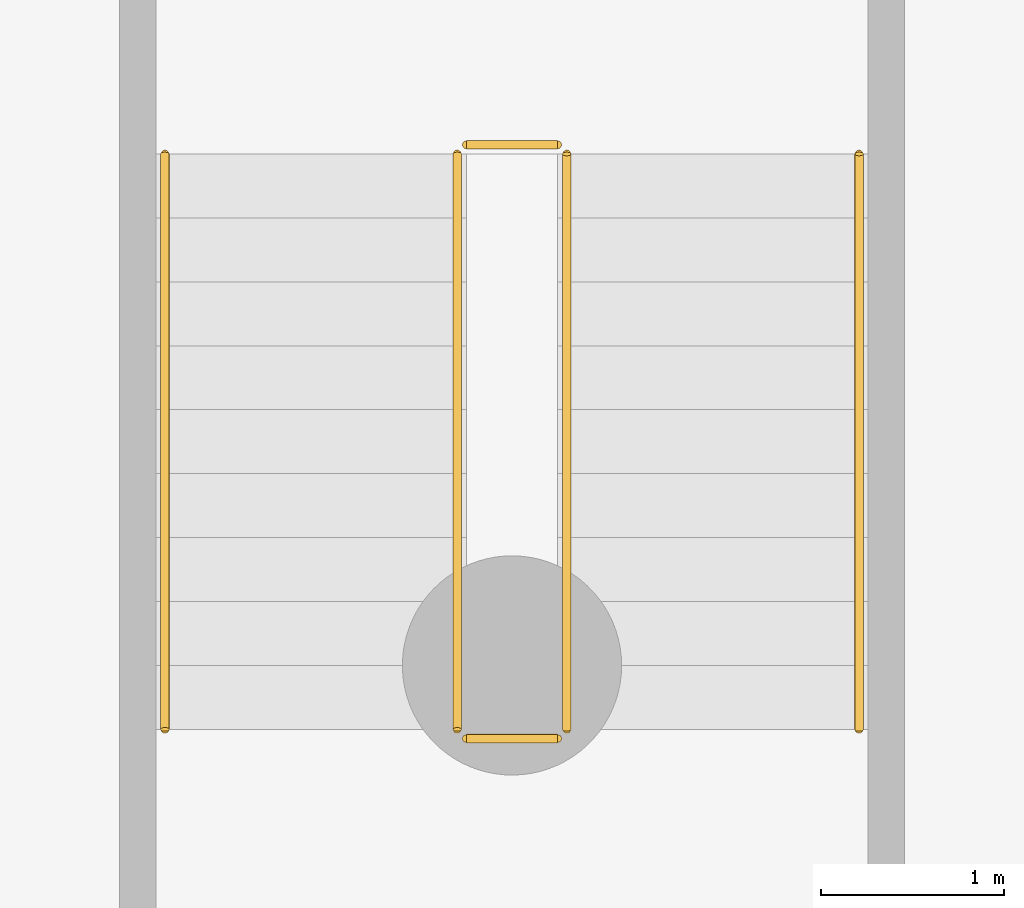
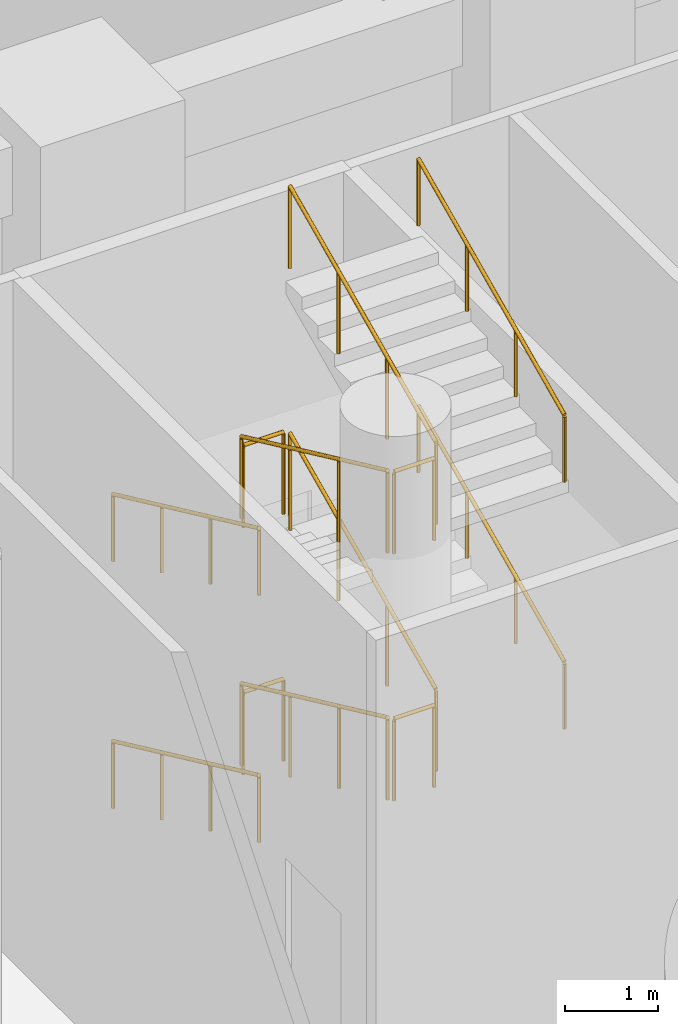
# One storey, part 47 of 51: 12 railings.
"""IFC4 building model written with IfcOpenShell, lengths in metres."""

from ifc_helpers import new_model, si_unit, direction, frame, origin, origin_2d, place, context, subcontext, project, spatial, circle, extrude, material, type_object, element, save


model = new_model("IFC4")

# Units and contexts
model_context = context("Model", 3, precision=1e-05, world=origin(), true_north=direction((0.0, 1.0)))
body_context = subcontext(model_context, "Body", "Model", "MODEL_VIEW")
ifc_project = project(units=[si_unit("LENGTHUNIT", "METRE"), si_unit("AREAUNIT", "SQUARE_METRE"), si_unit("VOLUMEUNIT", "CUBIC_METRE"), si_unit("PLANEANGLEUNIT", "RADIAN"), si_unit("MASSUNIT", "GRAM", prefix="KILO")], contexts=[model_context])

# Site, building, storey
site_placement = place(None, origin())
site = spatial("IfcSite", under=ifc_project, at=site_placement, CompositionType="ELEMENT")
building_placement = place(site_placement, origin())
building = spatial("IfcBuilding", under=site, at=building_placement, Name="Kiln Ring Residences", CompositionType="ELEMENT")
storey_placement = place(building_placement, origin())
storey = spatial("IfcBuildingStorey", under=building, at=storey_placement, Name="L00", CompositionType="ELEMENT", Elevation=0.0)

# Railings
ifc_material_1 = material(Name="Stainless steel", Category="steel")
railing_type_1 = type_object("IfcRailingType", Name="PODIUM-STAIR-GUARD", PredefinedType="GUARDRAIL", material=ifc_material_1)
railing_1_placement = place(storey_placement, frame((-0.300048828125, -26.60009765625, 0.16259765625)))
element("IfcRailing", 1, at=railing_1_placement, inside=storey, type_object=railing_type_1, Name="L00 PS-C stair guard 1", PredefinedType="GUARDRAIL", context=body_context, shape_type="SweptSolid", body=[
    extrude(circle(Radius=0.02392578125, at=origin_2d()), frame((0.0, 0.0, 1.076171875), z_axis=(0.0, -0.90701472152, 0.421098913494), x_axis=(1.0, 0.0, 0.0)), (0.0, 0.0, 1.0), 3.472900390625),
    extrude(circle(Radius=0.02099609375, at=origin_2d()), origin(), (0.0, 0.0, 1.0), 1.052001953125),
    extrude(circle(Radius=0.02099609375, at=origin_2d()), frame((0.0, -1.050048828125, 0.487548828125)), (0.0, 0.0, 1.0), 1.052001953125),
    extrude(circle(Radius=0.02099609375, at=origin_2d()), frame((0.0, -2.099853515625, 0.974853515625)), (0.0, 0.0, 1.0), 1.052001953125),
    extrude(circle(Radius=0.02099609375, at=origin_2d()), frame((0.0, -3.14990234375, 1.46240234375)), (0.0, 0.0, 1.0), 1.052001953125),
])
railing_2_placement = place(storey_placement, frame((-0.25, -29.800048828125, 1.625)))
element("IfcRailing", 2, at=railing_2_placement, inside=storey, type_object=railing_type_1, Name="L00 PS-C stair guard 2", PredefinedType="GUARDRAIL", context=body_context, shape_type="SweptSolid", body=[
    extrude(circle(Radius=0.02392578125, at=origin_2d()), frame((0.0, 0.0, 1.076171875), z_axis=(1.0, 0.0, 0.0), x_axis=(0.0, 1.0, 0.0)), (0.0, 0.0, 1.0), 0.5),
    extrude(circle(Radius=0.02099609375, at=origin_2d()), origin(), (0.0, 0.0, 1.0), 1.052001953125),
    extrude(circle(Radius=0.02099609375, at=origin_2d()), frame((0.5, 0.0, 0.0)), (0.0, 0.0, 1.0), 1.052001953125),
])
railing_3_placement = place(storey_placement, frame((0.300048828125, -29.75, 1.78759765625)))
element("IfcRailing", 3, at=railing_3_placement, inside=storey, type_object=railing_type_1, Name="L00 PS-C stair guard 3", PredefinedType="GUARDRAIL", context=body_context, shape_type="SweptSolid", body=[
    extrude(circle(Radius=0.02392578125, at=origin_2d()), frame((0.0, 0.0, 1.076171875), z_axis=(0.0, 0.90701472152, 0.421098913494), x_axis=(-1.0, 0.0, 0.0)), (0.0, 0.0, 1.0), 3.472900390625),
    extrude(circle(Radius=0.02099609375, at=origin_2d()), origin(), (0.0, 0.0, 1.0), 1.052001953125),
    extrude(circle(Radius=0.02099609375, at=origin_2d()), frame((0.0, 1.050048828125, 0.487548828125)), (0.0, 0.0, 1.0), 1.052001953125),
    extrude(circle(Radius=0.02099609375, at=origin_2d()), frame((0.0, 2.099853515625, 0.974853515625)), (0.0, 0.0, 1.0), 1.052001953125),
    extrude(circle(Radius=0.02099609375, at=origin_2d()), frame((0.0, 3.14990234375, 1.46240234375)), (0.0, 0.0, 1.0), 1.052001953125),
])
railing_4_placement = place(storey_placement, frame((-0.25, -26.550048828125, 3.25)))
element("IfcRailing", 4, at=railing_4_placement, inside=storey, type_object=railing_type_1, Name="L00 PS-C stair guard 4", PredefinedType="GUARDRAIL", context=body_context, shape_type="SweptSolid", body=[
    extrude(circle(Radius=0.02392578125, at=origin_2d()), frame((0.0, 0.0, 1.076171875), z_axis=(1.0, 0.0, 0.0), x_axis=(0.0, 1.0, 0.0)), (0.0, 0.0, 1.0), 0.5),
    extrude(circle(Radius=0.02099609375, at=origin_2d()), origin(), (0.0, 0.0, 1.0), 1.052001953125),
    extrude(circle(Radius=0.02099609375, at=origin_2d()), frame((0.5, 0.0, 0.0)), (0.0, 0.0, 1.0), 1.052001953125),
])
railing_5_placement = place(storey_placement, frame((-0.300048828125, -26.60009765625, 3.41259765625)))
element("IfcRailing", 5, at=railing_5_placement, inside=storey, type_object=railing_type_1, Name="L00 PS-C stair guard 5", PredefinedType="GUARDRAIL", context=body_context, shape_type="SweptSolid", body=[
    extrude(circle(Radius=0.02392578125, at=origin_2d()), frame((0.0, 0.0, 1.076171875), z_axis=(0.0, -0.90701472152, 0.421098913494), x_axis=(1.0, 0.0, 0.0)), (0.0, 0.0, 1.0), 3.472900390625),
    extrude(circle(Radius=0.02099609375, at=origin_2d()), origin(), (0.0, 0.0, 1.0), 1.052001953125),
    extrude(circle(Radius=0.02099609375, at=origin_2d()), frame((0.0, -1.050048828125, 0.487548828125)), (0.0, 0.0, 1.0), 1.052001953125),
    extrude(circle(Radius=0.02099609375, at=origin_2d()), frame((0.0, -2.099853515625, 0.974853515625)), (0.0, 0.0, 1.0), 1.052001953125),
    extrude(circle(Radius=0.02099609375, at=origin_2d()), frame((0.0, -3.14990234375, 1.46240234375)), (0.0, 0.0, 1.0), 1.052001953125),
])
railing_6_placement = place(storey_placement, frame((-0.25, -29.800048828125, 4.875)))
element("IfcRailing", 6, at=railing_6_placement, inside=storey, type_object=railing_type_1, Name="L00 PS-C stair guard 6", PredefinedType="GUARDRAIL", context=body_context, shape_type="SweptSolid", body=[
    extrude(circle(Radius=0.02392578125, at=origin_2d()), frame((0.0, 0.0, 1.076171875), z_axis=(1.0, 0.0, 0.0), x_axis=(0.0, 1.0, 0.0)), (0.0, 0.0, 1.0), 0.5),
    extrude(circle(Radius=0.02099609375, at=origin_2d()), origin(), (0.0, 0.0, 1.0), 1.052001953125),
    extrude(circle(Radius=0.02099609375, at=origin_2d()), frame((0.5, 0.0, 0.0)), (0.0, 0.0, 1.0), 1.052001953125),
])
railing_7_placement = place(storey_placement, frame((0.300048828125, -29.75, 5.03759765625)))
element("IfcRailing", 7, at=railing_7_placement, inside=storey, type_object=railing_type_1, Name="L00 PS-C stair guard 7", PredefinedType="GUARDRAIL", context=body_context, shape_type="SweptSolid", body=[
    extrude(circle(Radius=0.02392578125, at=origin_2d()), frame((0.0, 0.0, 1.076171875), z_axis=(0.0, 0.90701472152, 0.421098913494), x_axis=(-1.0, 0.0, 0.0)), (0.0, 0.0, 1.0), 3.472900390625),
    extrude(circle(Radius=0.02099609375, at=origin_2d()), origin(), (0.0, 0.0, 1.0), 1.052001953125),
    extrude(circle(Radius=0.02099609375, at=origin_2d()), frame((0.0, 1.050048828125, 0.487548828125)), (0.0, 0.0, 1.0), 1.052001953125),
    extrude(circle(Radius=0.02099609375, at=origin_2d()), frame((0.0, 2.099853515625, 0.974853515625)), (0.0, 0.0, 1.0), 1.052001953125),
    extrude(circle(Radius=0.02099609375, at=origin_2d()), frame((0.0, 3.14990234375, 1.46240234375)), (0.0, 0.0, 1.0), 1.052001953125),
])
railing_8_placement = place(storey_placement, frame((-0.25, -26.550048828125, 0.0)))
element("IfcRailing", 8, at=railing_8_placement, inside=storey, type_object=railing_type_1, Name="L00 PS-C stair guard 8", PredefinedType="GUARDRAIL", context=body_context, shape_type="SweptSolid", body=[
    extrude(circle(Radius=0.02392578125, at=origin_2d()), frame((0.0, 0.0, 1.076171875), z_axis=(1.0, 0.0, 0.0), x_axis=(0.0, 1.0, 0.0)), (0.0, 0.0, 1.0), 0.5),
    extrude(circle(Radius=0.02099609375, at=origin_2d()), origin(), (0.0, 0.0, 1.0), 1.052001953125),
    extrude(circle(Radius=0.02099609375, at=origin_2d()), frame((0.5, 0.0, 0.0)), (0.0, 0.0, 1.0), 1.052001953125),
])
ifc_material_2 = material(Name="Stainless steel", Category="steel")
railing_type_2 = type_object("IfcRailingType", Name="PODIUM-STAIR-HANDRAIL", PredefinedType="HANDRAIL", material=ifc_material_2)
railing_9_placement = place(storey_placement, frame((-1.89990234375, -26.60009765625, 0.16259765625)))
element("IfcRailing", 9, at=railing_9_placement, inside=storey, type_object=railing_type_2, Name="L00 PS-C stair handrail 1", PredefinedType="HANDRAIL", context=body_context, shape_type="SweptSolid", body=[
    extrude(circle(Radius=0.02392578125, at=origin_2d()), frame((0.0, 0.0, 0.8759765625), z_axis=(0.0, -0.90701472152, 0.421098913494), x_axis=(1.0, 0.0, 0.0)), (0.0, 0.0, 1.0), 3.472900390625),
    extrude(circle(Radius=0.02099609375, at=origin_2d()), origin(), (0.0, 0.0, 1.0), 0.851806640625),
    extrude(circle(Radius=0.02099609375, at=origin_2d()), frame((0.0, -1.050048828125, 0.487548828125)), (0.0, 0.0, 1.0), 0.851806640625),
    extrude(circle(Radius=0.02099609375, at=origin_2d()), frame((0.0, -2.099853515625, 0.974853515625)), (0.0, 0.0, 1.0), 0.851806640625),
    extrude(circle(Radius=0.02099609375, at=origin_2d()), frame((0.0, -3.14990234375, 1.46240234375)), (0.0, 0.0, 1.0), 0.851806640625),
])
railing_10_placement = place(storey_placement, frame((1.89990234375, -29.75, 1.78759765625)))
element("IfcRailing", 10, at=railing_10_placement, inside=storey, type_object=railing_type_2, Name="L00 PS-C stair handrail 2", PredefinedType="HANDRAIL", context=body_context, shape_type="SweptSolid", body=[
    extrude(circle(Radius=0.02392578125, at=origin_2d()), frame((0.0, 0.0, 0.8759765625), z_axis=(0.0, 0.90701472152, 0.421098913494), x_axis=(-1.0, 0.0, 0.0)), (0.0, 0.0, 1.0), 3.472900390625),
    extrude(circle(Radius=0.02099609375, at=origin_2d()), origin(), (0.0, 0.0, 1.0), 0.851806640625),
    extrude(circle(Radius=0.02099609375, at=origin_2d()), frame((0.0, 1.050048828125, 0.487548828125)), (0.0, 0.0, 1.0), 0.851806640625),
    extrude(circle(Radius=0.02099609375, at=origin_2d()), frame((0.0, 2.099853515625, 0.974853515625)), (0.0, 0.0, 1.0), 0.851806640625),
    extrude(circle(Radius=0.02099609375, at=origin_2d()), frame((0.0, 3.14990234375, 1.46240234375)), (0.0, 0.0, 1.0), 0.851806640625),
])
railing_11_placement = place(storey_placement, frame((-1.89990234375, -26.60009765625, 3.41259765625)))
element("IfcRailing", 11, at=railing_11_placement, inside=storey, type_object=railing_type_2, Name="L00 PS-C stair handrail 3", PredefinedType="HANDRAIL", context=body_context, shape_type="SweptSolid", body=[
    extrude(circle(Radius=0.02392578125, at=origin_2d()), frame((0.0, 0.0, 0.8759765625), z_axis=(0.0, -0.90701472152, 0.421098913494), x_axis=(1.0, 0.0, 0.0)), (0.0, 0.0, 1.0), 3.472900390625),
    extrude(circle(Radius=0.02099609375, at=origin_2d()), origin(), (0.0, 0.0, 1.0), 0.851806640625),
    extrude(circle(Radius=0.02099609375, at=origin_2d()), frame((0.0, -1.050048828125, 0.487548828125)), (0.0, 0.0, 1.0), 0.851806640625),
    extrude(circle(Radius=0.02099609375, at=origin_2d()), frame((0.0, -2.099853515625, 0.974853515625)), (0.0, 0.0, 1.0), 0.851806640625),
    extrude(circle(Radius=0.02099609375, at=origin_2d()), frame((0.0, -3.14990234375, 1.46240234375)), (0.0, 0.0, 1.0), 0.851806640625),
])
railing_12_placement = place(storey_placement, frame((1.89990234375, -29.75, 5.03759765625)))
element("IfcRailing", 12, at=railing_12_placement, inside=storey, type_object=railing_type_2, Name="L00 PS-C stair handrail 4", PredefinedType="HANDRAIL", context=body_context, shape_type="SweptSolid", body=[
    extrude(circle(Radius=0.02392578125, at=origin_2d()), frame((0.0, 0.0, 0.8759765625), z_axis=(0.0, 0.90701472152, 0.421098913494), x_axis=(-1.0, 0.0, 0.0)), (0.0, 0.0, 1.0), 3.472900390625),
    extrude(circle(Radius=0.02099609375, at=origin_2d()), origin(), (0.0, 0.0, 1.0), 0.851806640625),
    extrude(circle(Radius=0.02099609375, at=origin_2d()), frame((0.0, 1.050048828125, 0.487548828125)), (0.0, 0.0, 1.0), 0.851806640625),
    extrude(circle(Radius=0.02099609375, at=origin_2d()), frame((0.0, 2.099853515625, 0.974853515625)), (0.0, 0.0, 1.0), 0.851806640625),
    extrude(circle(Radius=0.02099609375, at=origin_2d()), frame((0.0, 3.14990234375, 1.46240234375)), (0.0, 0.0, 1.0), 0.851806640625),
])

save(model, "model.ifc")
